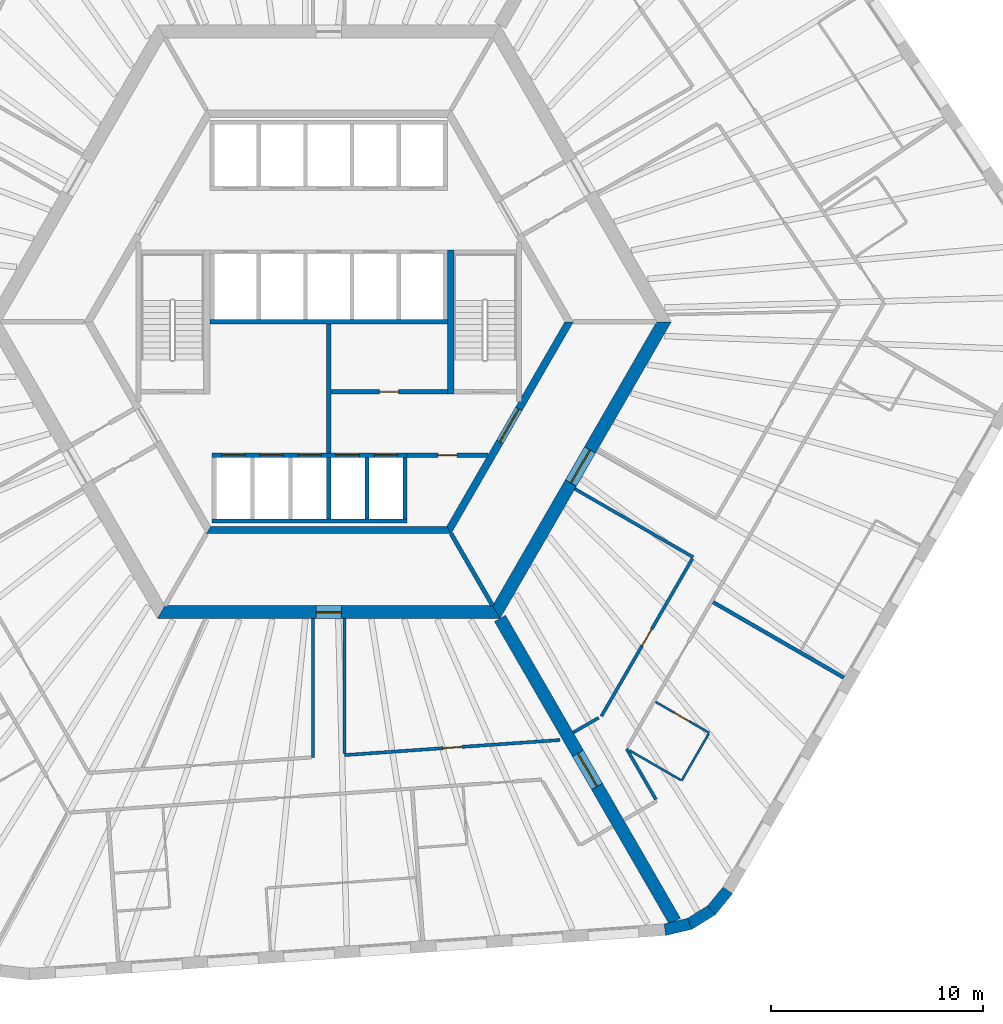
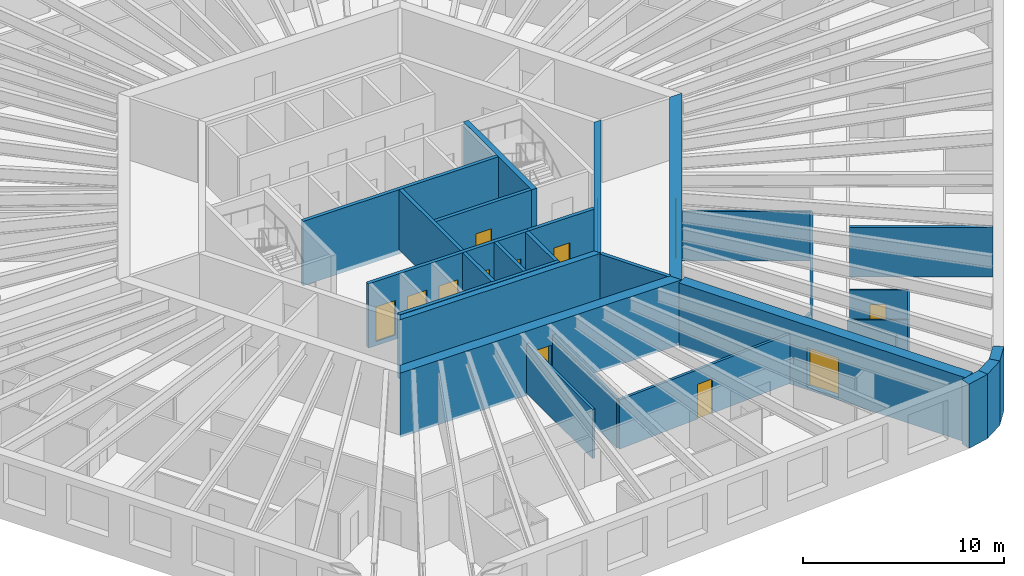
# One storey, part 5 of 12: 30 walls, 14 doors, 14 openings.
"""IFC4 building model written with IfcOpenShell, lengths in metres."""

from ifc_helpers import new_model, si_unit, direction, frame, frame_2d, origin, place, context, subcontext, project, spatial, polyline, rectangle, outline, extrude, material, layer, layer_set, type_object, element, fill, save


model = new_model("IFC4")

# Units and contexts
model_context = context("Model", 3, precision=1e-05, world=origin(), true_north=direction((0.0, 1.0)))
body_context = subcontext(model_context, "Body", "Model", "MODEL_VIEW")
ifc_project = project(units=[si_unit("LENGTHUNIT", "METRE"), si_unit("AREAUNIT", "SQUARE_METRE"), si_unit("VOLUMEUNIT", "CUBIC_METRE"), si_unit("PLANEANGLEUNIT", "RADIAN"), si_unit("MASSUNIT", "GRAM", prefix="KILO")], contexts=[model_context])

# Site, building, storey
site_placement = place(None, origin())
site = spatial("IfcSite", under=ifc_project, at=site_placement, CompositionType="ELEMENT")
building_placement = place(site_placement, origin())
building = spatial("IfcBuilding", under=site, at=building_placement, Name="Tarnside Tower", CompositionType="ELEMENT")
storey_placement = place(building_placement, frame((0.0, 0.0, 96.0)))
storey = spatial("IfcBuildingStorey", under=building, at=storey_placement, Name="L21", CompositionType="ELEMENT", Elevation=96.0)

# Wall, opening, door
ifc_material_1 = material(Name="Gypsum board partition on steel studs", Category="steel")
ifc_layer_1 = layer(ifc_material_1, 0.10009765625)
ifc_layer_set_1 = layer_set([ifc_layer_1], Name="Bathroom wall 100")
wall_type_1 = type_object("IfcWallType", Name="Bathroom wall 100", PredefinedType="PARTITIONING", material=ifc_layer_set_1)
wall_1_placement = place(storey_placement, frame((15.42333984375, -17.935791015625, 0.0), z_axis=(0.0, 0.0, 1.0), x_axis=(0.86601045545, -0.500025890382, 0.0)))
wall_1 = element("IfcWall", 1, at=wall_1_placement, inside=storey, type_object=wall_type_1, Name="Bathroom wall 06138", PredefinedType="PARTITIONING", context=body_context, shape_type="SweptSolid", body=[
    extrude(rectangle(XDim=2.925048828125, YDim=0.10009765625, at=frame_2d((1.46240234375, 0.0))), origin(), (0.0, 0.0, 1.0), 2.98779296875),
])
opening_1_placement = place(wall_1_placement, frame((1.02490234375, 0.0, 0.0)))
opening_1 = element("IfcOpeningElement", 2, at=opening_1_placement, cuts=wall_1, Name="Opening D-B1", PredefinedType="OPENING", context=body_context, shape_type="SweptSolid", body=[
    extrude(rectangle(XDim=0.800048828125, YDim=2.10009765625, at=frame_2d((0.39990234375, 1.050048828125))), frame((0.0, 0.06005859375, 0.0), z_axis=(0.0, -1.0, 0.0), x_axis=(1.0, 0.0, 0.0)), (0.0, 0.0, 1.0), 0.1201171875),
])
ifc_material_2 = material(Name="Timber door leaf", Category="wood")
door_type_1 = type_object("IfcDoorType", Name="Bathroom door 800", OperationType="NOTDEFINED", PredefinedType="DOOR", material=ifc_material_2)
door_1_placement = place(opening_1_placement, origin())
door_1 = element("IfcDoor", 3, at=door_1_placement, inside=storey, type_object=door_type_1, Name="Bathroom door 06031", OperationType="SINGLE_SWING_RIGHT", OverallHeight=2.10009765625, OverallWidth=0.800048828125, PredefinedType="DOOR", context=body_context, shape_type="SweptSolid", body=[
    extrude(rectangle(XDim=0.800048828125, YDim=2.10009765625, at=frame_2d((0.39990234375, 1.050048828125))), frame((0.0, 0.02490234375, 0.0), z_axis=(0.0, -1.0, 0.0), x_axis=(1.0, 0.0, 0.0)), (0.0, 0.0, 1.0), 0.050048828125),
])
fill(opening_1, door_1)

# Walls
wall_2_placement = place(storey_placement, frame((17.931640625, -19.441650390625, 0.0), z_axis=(0.0, 0.0, 1.0), x_axis=(-0.500062241894, -0.865989465428, 0.0)))
element("IfcWall", 4, at=wall_2_placement, inside=storey, type_object=wall_type_1, Name="Bathroom wall 06139", PredefinedType="PARTITIONING", context=body_context, shape_type="SweptSolid", body=[
    extrude(rectangle(XDim=2.550048828125, YDim=0.10009765625, at=frame_2d((1.27490234375, 0.0))), origin(), (0.0, 0.0, 1.0), 2.98779296875),
])
wall_3_placement = place(storey_placement, frame((16.61328125, -21.625, 0.0), z_axis=(0.0, 0.0, 1.0), x_axis=(-0.866034573852, 0.49998411664, 0.0)))
element("IfcWall", 5, at=wall_3_placement, inside=storey, type_object=wall_type_1, Name="Bathroom wall 06140", PredefinedType="PARTITIONING", context=body_context, shape_type="SweptSolid", body=[
    extrude(rectangle(XDim=2.7998046875, YDim=0.10009765625, at=frame_2d((1.39990234375, 0.0))), origin(), (0.0, 0.0, 1.0), 2.98779296875),
])
ifc_material_3 = material(Name="Concrete C50/60", Category="concrete")
ifc_layer_2 = layer(ifc_material_3, 0.35009765625)
ifc_layer_set_2 = layer_set([ifc_layer_2], Name="Core block wall 350 C50/60")
wall_type_2 = type_object("IfcWallType", Name="Core block wall 350 C50/60", PredefinedType="SHEAR", material=ifc_layer_set_2)
wall_4_placement = place(storey_placement, frame((-5.672607421875, -9.824951171875, -0.14990234375), z_axis=(0.0, 0.0, 1.0), x_axis=(1.0, 0.0, 0.0)))
element("IfcWall", 6, at=wall_4_placement, inside=storey, type_object=wall_type_2, Name="L21 core block wall face 4", PredefinedType="SHEAR", context=body_context, shape_type="SweptSolid", body=[
    extrude(outline(polyline([(-0.10107421875, -0.175048828125), (11.4462890625, -0.175048828125), (11.244140625, 0.175048828125), (0.10107421875, 0.175048828125), (-0.10107421875, -0.175048828125)])), origin(), (0.0, 0.0, 1.0), 3.89990234375),
])

# Wall, opening, door
wall_5_placement = place(storey_placement, frame((5.672607421875, -9.824951171875, -0.14990234375), z_axis=(0.0, 0.0, 1.0), x_axis=(0.499995046907, 0.866028263435, 0.0)))
wall_5 = element("IfcWall", 7, at=wall_5_placement, inside=storey, type_object=wall_type_2, Name="L21 core block wall face 5", PredefinedType="SHEAR", context=body_context, shape_type="SweptSolid", body=[
    extrude(outline(polyline([(-0.10107421875, -0.175048828125), (11.44580078125, -0.175048828125), (11.24365234375, 0.175048828125), (0.10107421875, 0.175048828125), (-0.10107421875, -0.175048828125)])), origin(), (0.0, 0.0, 1.0), 3.89990234375),
])
opening_2_placement = place(wall_5_placement, frame((4.80126953125, 0.0, 0.14990234375)))
opening_2 = element("IfcOpeningElement", 8, at=opening_2_placement, cuts=wall_5, Name="Opening CD-FFL", PredefinedType="OPENING", context=body_context, shape_type="SweptSolid", body=[
    extrude(rectangle(XDim=1.800048828125, YDim=2.39990234375, at=frame_2d((0.89990234375, 1.199951171875))), frame((0.0, 0.18505859375, 0.0), z_axis=(0.0, -1.0, 0.0), x_axis=(1.0, 0.0, 0.0)), (0.0, 0.0, 1.0), 0.3701171875),
])
ifc_material_4 = material(Name="Steel fire door", Category="steel")
door_type_2 = type_object("IfcDoorType", Name="Firefighting lobby double door FD60S 1800x2400", OperationType="NOTDEFINED", PredefinedType="DOOR", material=ifc_material_4)
door_2_placement = place(opening_2_placement, origin())
door_2 = element("IfcDoor", 9, at=door_2_placement, inside=storey, type_object=door_type_2, Name="L21 lobby block door P4", OperationType="DOUBLE_DOOR_SINGLE_SWING", OverallHeight=2.39990234375, OverallWidth=1.800048828125, PredefinedType="DOOR", context=body_context, shape_type="SweptSolid", body=[
    extrude(rectangle(XDim=1.800048828125, YDim=2.39990234375, at=frame_2d((0.89990234375, 1.199951171875))), frame((0.0, 0.02490234375, 0.0), z_axis=(0.0, -1.0, 0.0), x_axis=(1.0, 0.0, 0.0)), (0.0, 0.0, 1.0), 0.050048828125),
])
fill(opening_2, door_2)

ifc_material_5 = material(Name="Concrete C40/50", Category="concrete")
ifc_layer_3 = layer(ifc_material_5, 0.199951171875)
ifc_layer_set_3 = layer_set([ifc_layer_3], Name="Core room partition 200 C40/50")
wall_type_3 = type_object("IfcWallType", Name="Core room partition 200 C40/50", PredefinedType="PARTITIONING", material=ifc_layer_set_3)
wall_6_placement = place(storey_placement, frame((0.10009765625, -3.300048828125, 0.0), z_axis=(0.0, 0.0, 1.0), x_axis=(1.0, 0.0, 0.0)))
wall_6 = element("IfcWall", 10, at=wall_6_placement, inside=storey, type_object=wall_type_3, Name="L21 core partition R3S1", PredefinedType="PARTITIONING", context=body_context, shape_type="SweptSolid", body=[
    extrude(rectangle(XDim=5.5, YDim=0.199951171875, at=frame_2d((2.75, 0.0))), origin(), (0.0, 0.0, 1.0), 3.64990234375),
])
opening_3_placement = place(wall_6_placement, frame((2.300048828125, 0.0, 0.0)))
opening_3 = element("IfcOpeningElement", 11, at=opening_3_placement, cuts=wall_6, Name="Opening CD-room", PredefinedType="OPENING", context=body_context, shape_type="SweptSolid", body=[
    extrude(rectangle(XDim=0.89990234375, YDim=2.10009765625, at=frame_2d((0.449951171875, 1.050048828125))), frame((0.0, 0.10986328125, 0.0), z_axis=(0.0, -1.0, 0.0), x_axis=(1.0, 0.0, 0.0)), (0.0, 0.0, 1.0), 0.219970703125),
])
door_type_3 = type_object("IfcDoorType", Name="Room door FD60 900x2100", OperationType="NOTDEFINED", PredefinedType="DOOR", material=ifc_material_4)
door_3_placement = place(opening_3_placement, origin())
door_3 = element("IfcDoor", 12, at=door_3_placement, inside=storey, type_object=door_type_3, Name="L21 core room door SR1", OperationType="SINGLE_SWING_LEFT", OverallHeight=2.10009765625, OverallWidth=0.89990234375, PredefinedType="DOOR", context=body_context, shape_type="SweptSolid", body=[
    extrude(rectangle(XDim=0.89990234375, YDim=2.10009765625, at=frame_2d((0.449951171875, 1.050048828125))), frame((0.0, 0.02490234375, 0.0), z_axis=(0.0, -1.0, 0.0), x_axis=(1.0, 0.0, 0.0)), (0.0, 0.0, 1.0), 0.050048828125),
])
fill(opening_3, door_3)

# Wall
wall_7_placement = place(storey_placement, frame((0.0, -6.199951171875, 0.0), z_axis=(0.0, 0.0, 1.0), x_axis=(0.0, 1.0, 0.0)))
element("IfcWall", 13, at=wall_7_placement, inside=storey, type_object=wall_type_3, Name="L21 core partition X0", PredefinedType="PARTITIONING", context=body_context, shape_type="SweptSolid", body=[
    extrude(rectangle(XDim=6.099853515625, YDim=0.199951171875, at=frame_2d((3.0498046875, 0.0))), origin(), (0.0, 0.0, 1.0), 3.64990234375),
])

# Wall, opening, door
wall_8_placement = place(storey_placement, frame((3.699951171875, -6.300048828125, 0.0), z_axis=(0.0, 0.0, 1.0), x_axis=(1.0, 0.0, 0.0)))
wall_8 = element("IfcWall", 14, at=wall_8_placement, inside=storey, type_object=wall_type_3, Name="L21 core partition R4X", PredefinedType="PARTITIONING", context=body_context, shape_type="SweptSolid", body=[
    extrude(rectangle(XDim=3.8056640625, YDim=0.199951171875, at=frame_2d((1.90283203125, 0.0))), origin(), (0.0, 0.0, 1.0), 3.64990234375),
])
opening_4_placement = place(wall_8_placement, frame((1.452880859375, 0.0, 0.0)))
opening_4 = element("IfcOpeningElement", 15, at=opening_4_placement, cuts=wall_8, Name="Opening CD-room", PredefinedType="OPENING", context=body_context, shape_type="SweptSolid", body=[
    extrude(rectangle(XDim=0.89990234375, YDim=2.10009765625, at=frame_2d((0.449951171875, 1.050048828125))), frame((0.0, 0.10986328125, 0.0), z_axis=(0.0, -1.0, 0.0), x_axis=(1.0, 0.0, 0.0)), (0.0, 0.0, 1.0), 0.219970703125),
])
door_4_placement = place(opening_4_placement, origin())
door_4 = element("IfcDoor", 16, at=door_4_placement, inside=storey, type_object=door_type_3, Name="L21 core room door RX", OperationType="SINGLE_SWING_LEFT", OverallHeight=2.10009765625, OverallWidth=0.89990234375, PredefinedType="DOOR", context=body_context, shape_type="SweptSolid", body=[
    extrude(rectangle(XDim=0.89990234375, YDim=2.10009765625, at=frame_2d((0.449951171875, 1.050048828125))), frame((0.0, 0.02490234375, 0.0), z_axis=(0.0, -1.0, 0.0), x_axis=(1.0, 0.0, 0.0)), (0.0, 0.0, 1.0), 0.050048828125),
])
fill(opening_4, door_4)

ifc_material_6 = material(Name="Concrete C80/95", Category="concrete")
ifc_layer_4 = layer(ifc_material_6, 0.60009765625)
ifc_layer_set_4 = layer_set([ifc_layer_4], Name="Core wall Z1 600 C80/95")
wall_type_4 = type_object("IfcWallType", Name="Core wall Z1 600 C80/95", PredefinedType="SHEAR", material=ifc_layer_set_4)
wall_9_placement = place(storey_placement, frame((-7.90966796875, -13.699951171875, -0.14990234375), z_axis=(0.0, 0.0, 1.0), x_axis=(1.0, 0.0, 0.0)))
wall_9 = element("IfcWall", 17, at=wall_9_placement, inside=storey, type_object=wall_type_4, Name="L21 core wall face 4", PredefinedType="SHEAR", context=body_context, shape_type="SweptSolid", body=[
    extrude(outline(polyline([(-0.17333984375, -0.300048828125), (15.99267578125, -0.300048828125), (15.64599609375, 0.300048828125), (0.17333984375, 0.300048828125), (-0.17333984375, -0.300048828125)])), origin(), (0.0, 0.0, 1.0), 3.89990234375),
])
opening_5_placement = place(wall_9_placement, frame((7.309814453125, 0.0, 0.14990234375)))
opening_5 = element("IfcOpeningElement", 18, at=opening_5_placement, cuts=wall_9, Name="Opening CD-RSR", PredefinedType="OPENING", context=body_context, shape_type="SweptSolid", body=[
    extrude(rectangle(XDim=1.199951171875, YDim=2.39990234375, at=frame_2d((0.60009765625, 1.199951171875))), frame((0.0, 0.31005859375, 0.0), z_axis=(0.0, -1.0, 0.0), x_axis=(1.0, 0.0, 0.0)), (0.0, 0.0, 1.0), 0.6201171875),
])
door_type_4 = type_object("IfcDoorType", Name="Riser door FD60 1200x2400", OperationType="NOTDEFINED", PredefinedType="DOOR", material=ifc_material_4)
door_5_placement = place(opening_5_placement, origin())
door_5 = element("IfcDoor", 19, at=door_5_placement, inside=storey, type_object=door_type_4, Name="L21 core door S6", OperationType="SINGLE_SWING_LEFT", OverallHeight=2.39990234375, OverallWidth=1.199951171875, PredefinedType="DOOR", context=body_context, shape_type="SweptSolid", body=[
    extrude(rectangle(XDim=1.199951171875, YDim=2.39990234375, at=frame_2d((0.60009765625, 1.199951171875))), frame((0.0, 0.02490234375, 0.0), z_axis=(0.0, -1.0, 0.0), x_axis=(1.0, 0.0, 0.0)), (0.0, 0.0, 1.0), 0.050048828125),
])
fill(opening_5, door_5)

wall_10_placement = place(storey_placement, frame((7.90966796875, -13.699951171875, -0.14990234375), z_axis=(0.0, 0.0, 1.0), x_axis=(0.499999880136, 0.866025472988, 0.0)))
wall_10 = element("IfcWall", 20, at=wall_10_placement, inside=storey, type_object=wall_type_4, Name="L21 core wall face 5", PredefinedType="SHEAR", context=body_context, shape_type="SweptSolid", body=[
    extrude(outline(polyline([(-0.17333984375, -0.300048828125), (15.99267578125, -0.300048828125), (15.64599609375, 0.300048828125), (0.17333984375, 0.300048828125), (-0.17333984375, -0.300048828125)])), origin(), (0.0, 0.0, 1.0), 3.89990234375),
])
opening_6_placement = place(wall_10_placement, frame((7.03857421875, 0.0, 0.14990234375)))
opening_6 = element("IfcOpeningElement", 21, at=opening_6_placement, cuts=wall_10, Name="Opening CD-FFL", PredefinedType="OPENING", context=body_context, shape_type="SweptSolid", body=[
    extrude(rectangle(XDim=1.800048828125, YDim=2.39990234375, at=frame_2d((0.89990234375, 1.199951171875))), frame((0.0, 0.31005859375, 0.0), z_axis=(0.0, -1.0, 0.0), x_axis=(1.0, 0.0, 0.0)), (0.0, 0.0, 1.0), 0.6201171875),
])
door_6_placement = place(opening_6_placement, origin())
door_6 = element("IfcDoor", 22, at=door_6_placement, inside=storey, type_object=door_type_2, Name="L21 core door P4", OperationType="DOUBLE_DOOR_SINGLE_SWING", OverallHeight=2.39990234375, OverallWidth=1.800048828125, PredefinedType="DOOR", context=body_context, shape_type="SweptSolid", body=[
    extrude(rectangle(XDim=1.800048828125, YDim=2.39990234375, at=frame_2d((0.89990234375, 1.199951171875))), frame((0.0, 0.02490234375, 0.0), z_axis=(0.0, -1.0, 0.0), x_axis=(1.0, 0.0, 0.0)), (0.0, 0.0, 1.0), 0.050048828125),
])
fill(opening_6, door_6)

wall_11_placement = place(storey_placement, frame((8.0830078125, -14.0, -0.14990234375), z_axis=(0.0, 0.0, 1.0), x_axis=(0.499997680643, -0.866026742862, 0.0)))
wall_11 = element("IfcWall", 23, at=wall_11_placement, inside=storey, type_object=wall_type_4, Name="L21 spine wall 3", PredefinedType="SHEAR", context=body_context, shape_type="SweptSolid", body=[
    extrude(rectangle(XDim=16.5087890625, YDim=0.60009765625, at=frame_2d((8.25439453125, 0.0))), origin(), (0.0, 0.0, 1.0), 3.89990234375),
])
opening_7_placement = place(wall_11_placement, frame((7.3544921875, 0.0, 0.14990234375)))
opening_7 = element("IfcOpeningElement", 24, at=opening_7_placement, cuts=wall_11, Name="Opening CD-SPN", PredefinedType="OPENING", context=body_context, shape_type="SweptSolid", body=[
    extrude(rectangle(XDim=1.800048828125, YDim=2.39990234375, at=frame_2d((0.89990234375, 1.199951171875))), frame((0.0, 0.31005859375, 0.0), z_axis=(0.0, -1.0, 0.0), x_axis=(1.0, 0.0, 0.0)), (0.0, 0.0, 1.0), 0.6201171875),
])
door_type_5 = type_object("IfcDoorType", Name="Spine passage double door FD60 1800x2400", OperationType="NOTDEFINED", PredefinedType="DOOR", material=ifc_material_4)
door_7_placement = place(opening_7_placement, origin())
door_7 = element("IfcDoor", 25, at=door_7_placement, inside=storey, type_object=door_type_5, Name="L21 spine passage door 3", OperationType="DOUBLE_DOOR_SINGLE_SWING", OverallHeight=2.39990234375, OverallWidth=1.800048828125, PredefinedType="DOOR", context=body_context, shape_type="SweptSolid", body=[
    extrude(rectangle(XDim=1.800048828125, YDim=2.39990234375, at=frame_2d((0.89990234375, 1.199951171875))), frame((0.0, 0.02490234375, 0.0), z_axis=(0.0, -1.0, 0.0), x_axis=(1.0, 0.0, 0.0)), (0.0, 0.0, 1.0), 0.050048828125),
])
fill(opening_7, door_7)

# Wall
ifc_layer_5 = layer(ifc_material_1, 0.14990234375)
ifc_layer_set_5 = layer_set([ifc_layer_5], Name="Corridor wall 150 EI 60")
wall_type_5 = type_object("IfcWallType", Name="Corridor wall 150 EI 60", PredefinedType="PARTITIONING", material=ifc_layer_set_5)
wall_12_placement = place(storey_placement, frame((-0.75, -14.0, 0.0), z_axis=(0.0, 0.0, 1.0), x_axis=(0.0, -1.0, 0.0)))
element("IfcWall", 26, at=wall_12_placement, inside=storey, type_object=wall_type_5, Name="Corridor wall 06043", PredefinedType="PARTITIONING", context=body_context, shape_type="SweptSolid", body=[
    extrude(rectangle(XDim=6.552490234375, YDim=0.14990234375, at=frame_2d((3.2763671875, 0.0))), origin(), (0.0, 0.0, 1.0), 2.98779296875),
])

# Wall, opening, door
wall_13_placement = place(storey_placement, frame((10.921142578125, -19.736328125, 0.0), z_axis=(0.0, 0.0, 1.0), x_axis=(-0.997564418338, -0.069751209779, 0.0)))
wall_13 = element("IfcWall", 27, at=wall_13_placement, inside=storey, type_object=wall_type_5, Name="Corridor wall 06048", PredefinedType="PARTITIONING", context=body_context, shape_type="SweptSolid", body=[
    extrude(rectangle(XDim=10.196044921875, YDim=0.14990234375, at=frame_2d((5.09814453125, 0.0))), origin(), (0.0, 0.0, 1.0), 2.98779296875),
])
opening_8_placement = place(wall_13_placement, frame((4.64794921875, 0.0, 0.0)))
opening_8 = element("IfcOpeningElement", 28, at=opening_8_placement, cuts=wall_13, Name="Opening D-S1", PredefinedType="OPENING", context=body_context, shape_type="SweptSolid", body=[
    extrude(rectangle(XDim=0.89990234375, YDim=2.10009765625, at=frame_2d((0.449951171875, 1.050048828125))), frame((0.0, 0.0849609375, 0.0), z_axis=(0.0, -1.0, 0.0), x_axis=(1.0, 0.0, 0.0)), (0.0, 0.0, 1.0), 0.169921875),
])
door_type_6 = type_object("IfcDoorType", Name="Service room door 900 FD30S", OperationType="NOTDEFINED", PredefinedType="DOOR", material=ifc_material_2)
door_8_placement = place(opening_8_placement, origin())
door_8 = element("IfcDoor", 29, at=door_8_placement, inside=storey, type_object=door_type_6, Name="Service door 06049", OperationType="SINGLE_SWING_LEFT", OverallHeight=2.10009765625, OverallWidth=0.89990234375, PredefinedType="DOOR", context=body_context, shape_type="SweptSolid", body=[
    extrude(rectangle(XDim=0.89990234375, YDim=2.10009765625, at=frame_2d((0.449951171875, 1.050048828125))), frame((0.0, 0.02490234375, 0.0), z_axis=(0.0, -1.0, 0.0), x_axis=(1.0, 0.0, 0.0)), (0.0, 0.0, 1.0), 0.050048828125),
])
fill(opening_8, door_8)

# Walls
wall_14_placement = place(storey_placement, frame((0.75, -20.372314453125, 0.0), z_axis=(0.0, 0.0, 1.0), x_axis=(0.0, 1.0, 0.0)))
element("IfcWall", 30, at=wall_14_placement, inside=storey, type_object=wall_type_5, Name="Corridor wall 06049", PredefinedType="PARTITIONING", context=body_context, shape_type="SweptSolid", body=[
    extrude(rectangle(XDim=6.372314453125, YDim=0.14990234375, at=frame_2d((3.18603515625, 0.0))), origin(), (0.0, 0.0, 1.0), 2.98779296875),
])
wall_15_placement = place(storey_placement, frame((15.44140625, -22.545166015625, 0.0), z_axis=(0.0, 0.0, 1.0), x_axis=(-0.499974611044, 0.866040061609, 0.0)))
element("IfcWall", 31, at=wall_15_placement, inside=storey, type_object=wall_type_5, Name="Corridor wall 06051", PredefinedType="PARTITIONING", context=body_context, shape_type="SweptSolid", body=[
    extrude(rectangle(XDim=2.765869140625, YDim=0.14990234375, at=frame_2d((1.3828125, 0.0))), origin(), (0.0, 0.0, 1.0), 2.98779296875),
])
wall_16_placement = place(storey_placement, frame((11.61376953125, -7.88427734375, 0.0), z_axis=(0.0, 0.0, 1.0), x_axis=(0.866021702275, -0.500006411147, 0.0)))
element("IfcWall", 32, at=wall_16_placement, inside=storey, type_object=wall_type_5, Name="Corridor wall 06071", PredefinedType="PARTITIONING", context=body_context, shape_type="SweptSolid", body=[
    extrude(rectangle(XDim=6.4501953125, YDim=0.14990234375, at=frame_2d((3.22509765625, 0.0))), origin(), (0.0, 0.0, 1.0), 2.98779296875),
])

# Wall, opening, door
wall_17_placement = place(storey_placement, frame((17.162109375, -11.17431640625, 0.0), z_axis=(0.0, 0.0, 1.0), x_axis=(-0.499997214665, -0.866027011893, 0.0)))
wall_17 = element("IfcWall", 33, at=wall_17_placement, inside=storey, type_object=wall_type_5, Name="Corridor wall 06072", PredefinedType="PARTITIONING", context=body_context, shape_type="SweptSolid", body=[
    extrude(rectangle(XDim=8.5888671875, YDim=0.14990234375, at=frame_2d((4.29443359375, 0.0))), origin(), (0.0, 0.0, 1.0), 2.98779296875),
])
opening_9_placement = place(wall_17_placement, frame((3.844482421875, 0.0, 0.0)))
opening_9 = element("IfcOpeningElement", 34, at=opening_9_placement, cuts=wall_17, Name="Opening D-S1", PredefinedType="OPENING", context=body_context, shape_type="SweptSolid", body=[
    extrude(rectangle(XDim=0.89990234375, YDim=2.10009765625, at=frame_2d((0.449951171875, 1.050048828125))), frame((0.0, 0.0849609375, 0.0), z_axis=(0.0, -1.0, 0.0), x_axis=(1.0, 0.0, 0.0)), (0.0, 0.0, 1.0), 0.169921875),
])
door_9_placement = place(opening_9_placement, origin())
door_9 = element("IfcDoor", 35, at=door_9_placement, inside=storey, type_object=door_type_6, Name="Service door 06052", OperationType="SINGLE_SWING_LEFT", OverallHeight=2.10009765625, OverallWidth=0.89990234375, PredefinedType="DOOR", context=body_context, shape_type="SweptSolid", body=[
    extrude(rectangle(XDim=0.89990234375, YDim=2.10009765625, at=frame_2d((0.449951171875, 1.050048828125))), frame((0.0, 0.02490234375, 0.0), z_axis=(0.0, -1.0, 0.0), x_axis=(1.0, 0.0, 0.0)), (0.0, 0.0, 1.0), 0.050048828125),
])
fill(opening_9, door_9)

# Walls
wall_18_placement = place(storey_placement, frame((12.73779296875, -18.6875, 0.0), z_axis=(0.0, 0.0, 1.0), x_axis=(-0.866080107329, -0.499905238708, 0.0)))
element("IfcWall", 36, at=wall_18_placement, inside=storey, type_object=wall_type_5, Name="Corridor wall 06073", PredefinedType="PARTITIONING", context=body_context, shape_type="SweptSolid", body=[
    extrude(rectangle(XDim=1.387451171875, YDim=0.14990234375, at=frame_2d((0.69384765625, 0.0))), origin(), (0.0, 0.0, 1.0), 2.98779296875),
])
ifc_layer_6 = layer(ifc_material_1, 0.179931640625)
ifc_layer_set_6 = layer_set([ifc_layer_6], Name="Demising wall 180 EI 60")
wall_type_6 = type_object("IfcWallType", Name="Demising wall 180 EI 60", PredefinedType="PARTITIONING", material=ifc_layer_set_6)
wall_19_placement = place(storey_placement, frame((24.31005859375, -16.7939453125, 0.0), z_axis=(0.0, 0.0, 1.0), x_axis=(-0.866024672353, 0.500001266874, 0.0)))
element("IfcWall", 37, at=wall_19_placement, inside=storey, type_object=wall_type_6, Name="Demising wall 06141", PredefinedType="PARTITIONING", context=body_context, shape_type="SweptSolid", body=[
    extrude(rectangle(XDim=7.125, YDim=0.179931640625, at=frame_2d((3.5625, 0.0))), origin(), (0.0, 0.0, 1.0), 2.98779296875),
])
ifc_layer_7 = layer(ifc_material_5, 0.199951171875)
ifc_layer_set_7 = layer_set([ifc_layer_7], Name="Lift shaft wall 200 C40/50")
wall_type_7 = type_object("IfcWallType", Name="Lift shaft wall 200 C40/50", PredefinedType="SHEAR", material=ifc_layer_set_7)
wall_20_placement = place(storey_placement, frame((-5.60009765625, 0.0, -0.25), z_axis=(0.0, 0.0, 1.0), x_axis=(1.0, 0.0, 0.0)))
element("IfcWall", 38, at=wall_20_placement, inside=storey, type_object=wall_type_7, Name="L21 lift shaft back wall R2", PredefinedType="SHEAR", context=body_context, shape_type="SweptSolid", body=[
    extrude(rectangle(XDim=11.2001953125, YDim=0.199951171875, at=frame_2d((5.60009765625, 0.0))), origin(), (0.0, 0.0, 1.0), 3.89990234375),
])

# Wall, openings, doors
wall_21_placement = place(storey_placement, frame((-5.5, -6.300048828125, -0.25), z_axis=(0.0, 0.0, 1.0), x_axis=(1.0, 0.0, 0.0)))
wall_21 = element("IfcWall", 39, at=wall_21_placement, inside=storey, type_object=wall_type_7, Name="L21 lift shaft front wall R4", PredefinedType="SHEAR", context=body_context, shape_type="SweptSolid", body=[
    extrude(rectangle(XDim=9.199951171875, YDim=0.199951171875, at=frame_2d((4.60009765625, 0.0))), origin(), (0.0, 0.0, 1.0), 3.89990234375),
])
opening_10_placement = place(wall_21_placement, frame((0.449951171875, 0.0, 0.25)))
opening_10 = element("IfcOpeningElement", 40, at=opening_10_placement, cuts=wall_21, Name="Opening LDF", PredefinedType="OPENING", context=body_context, shape_type="SweptSolid", body=[
    extrude(rectangle(XDim=1.10009765625, YDim=2.10009765625, at=frame_2d((0.550048828125, 1.050048828125))), frame((0.0, 0.10986328125, 0.0), z_axis=(0.0, -1.0, 0.0), x_axis=(1.0, 0.0, 0.0)), (0.0, 0.0, 1.0), 0.219970703125),
])
opening_11_placement = place(wall_21_placement, frame((2.25, 0.0, 0.25)))
opening_11 = element("IfcOpeningElement", 41, at=opening_11_placement, cuts=wall_21, Name="Opening LDF", PredefinedType="OPENING", context=body_context, shape_type="SweptSolid", body=[
    extrude(rectangle(XDim=1.10009765625, YDim=2.10009765625, at=frame_2d((0.550048828125, 1.050048828125))), frame((0.0, 0.10986328125, 0.0), z_axis=(0.0, -1.0, 0.0), x_axis=(1.0, 0.0, 0.0)), (0.0, 0.0, 1.0), 0.219970703125),
])
opening_12_placement = place(wall_21_placement, frame((4.050048828125, 0.0, 0.25)))
opening_12 = element("IfcOpeningElement", 42, at=opening_12_placement, cuts=wall_21, Name="Opening LDF", PredefinedType="OPENING", context=body_context, shape_type="SweptSolid", body=[
    extrude(rectangle(XDim=1.10009765625, YDim=2.10009765625, at=frame_2d((0.550048828125, 1.050048828125))), frame((0.0, 0.10986328125, 0.0), z_axis=(0.0, -1.0, 0.0), x_axis=(1.0, 0.0, 0.0)), (0.0, 0.0, 1.0), 0.219970703125),
])
opening_13_placement = place(wall_21_placement, frame((5.85009765625, 0.0, 0.25)))
opening_13 = element("IfcOpeningElement", 43, at=opening_13_placement, cuts=wall_21, Name="Opening LDF", PredefinedType="OPENING", context=body_context, shape_type="SweptSolid", body=[
    extrude(rectangle(XDim=1.10009765625, YDim=2.10009765625, at=frame_2d((0.550048828125, 1.050048828125))), frame((0.0, 0.10986328125, 0.0), z_axis=(0.0, -1.0, 0.0), x_axis=(1.0, 0.0, 0.0)), (0.0, 0.0, 1.0), 0.219970703125),
])
opening_14_placement = place(wall_21_placement, frame((7.64990234375, 0.0, 0.25)))
opening_14 = element("IfcOpeningElement", 44, at=opening_14_placement, cuts=wall_21, Name="Opening LDF", PredefinedType="OPENING", context=body_context, shape_type="SweptSolid", body=[
    extrude(rectangle(XDim=1.10009765625, YDim=2.10009765625, at=frame_2d((0.550048828125, 1.050048828125))), frame((0.0, 0.10986328125, 0.0), z_axis=(0.0, -1.0, 0.0), x_axis=(1.0, 0.0, 0.0)), (0.0, 0.0, 1.0), 0.219970703125),
])
ifc_material_7 = material(Name="Stainless steel", Category="steel")
door_type_7 = type_object("IfcDoorType", Name="Lift landing door 1100x2100 EI 120", OperationType="NOTDEFINED", PredefinedType="DOOR", material=ifc_material_7)
door_10_placement = place(opening_10_placement, origin())
door_10 = element("IfcDoor", 45, at=door_10_placement, inside=storey, type_object=door_type_7, Name="Firefighting lift 1 landing door L21", OperationType="SLIDING_TO_LEFT", OverallHeight=2.10009765625, OverallWidth=1.10009765625, PredefinedType="DOOR", context=body_context, shape_type="SweptSolid", body=[
    extrude(rectangle(XDim=1.10009765625, YDim=2.10009765625, at=frame_2d((0.550048828125, 1.050048828125))), frame((0.0, 0.02490234375, 0.0), z_axis=(0.0, -1.0, 0.0), x_axis=(1.0, 0.0, 0.0)), (0.0, 0.0, 1.0), 0.050048828125),
])
fill(opening_10, door_10)
door_11_placement = place(opening_11_placement, origin())
door_11 = element("IfcDoor", 46, at=door_11_placement, inside=storey, type_object=door_type_7, Name="Firefighting lift 2 landing door L21", OperationType="SLIDING_TO_LEFT", OverallHeight=2.10009765625, OverallWidth=1.10009765625, PredefinedType="DOOR", context=body_context, shape_type="SweptSolid", body=[
    extrude(rectangle(XDim=1.10009765625, YDim=2.10009765625, at=frame_2d((0.550048828125, 1.050048828125))), frame((0.0, 0.02490234375, 0.0), z_axis=(0.0, -1.0, 0.0), x_axis=(1.0, 0.0, 0.0)), (0.0, 0.0, 1.0), 0.050048828125),
])
fill(opening_11, door_11)
door_12_placement = place(opening_12_placement, origin())
door_12 = element("IfcDoor", 47, at=door_12_placement, inside=storey, type_object=door_type_7, Name="Firefighting lift 3 landing door L21", OperationType="SLIDING_TO_LEFT", OverallHeight=2.10009765625, OverallWidth=1.10009765625, PredefinedType="DOOR", context=body_context, shape_type="SweptSolid", body=[
    extrude(rectangle(XDim=1.10009765625, YDim=2.10009765625, at=frame_2d((0.550048828125, 1.050048828125))), frame((0.0, 0.02490234375, 0.0), z_axis=(0.0, -1.0, 0.0), x_axis=(1.0, 0.0, 0.0)), (0.0, 0.0, 1.0), 0.050048828125),
])
fill(opening_12, door_12)
door_13_placement = place(opening_13_placement, origin())
door_13 = element("IfcDoor", 48, at=door_13_placement, inside=storey, type_object=door_type_7, Name="Firefighting lift 4 landing door L21", OperationType="SLIDING_TO_LEFT", OverallHeight=2.10009765625, OverallWidth=1.10009765625, PredefinedType="DOOR", context=body_context, shape_type="SweptSolid", body=[
    extrude(rectangle(XDim=1.10009765625, YDim=2.10009765625, at=frame_2d((0.550048828125, 1.050048828125))), frame((0.0, 0.02490234375, 0.0), z_axis=(0.0, -1.0, 0.0), x_axis=(1.0, 0.0, 0.0)), (0.0, 0.0, 1.0), 0.050048828125),
])
fill(opening_13, door_13)
door_14_placement = place(opening_14_placement, origin())
door_14 = element("IfcDoor", 49, at=door_14_placement, inside=storey, type_object=door_type_7, Name="Firefighting lift 5 landing door L21", OperationType="SLIDING_TO_LEFT", OverallHeight=2.10009765625, OverallWidth=1.10009765625, PredefinedType="DOOR", context=body_context, shape_type="SweptSolid", body=[
    extrude(rectangle(XDim=1.10009765625, YDim=2.10009765625, at=frame_2d((0.550048828125, 1.050048828125))), frame((0.0, 0.02490234375, 0.0), z_axis=(0.0, -1.0, 0.0), x_axis=(1.0, 0.0, 0.0)), (0.0, 0.0, 1.0), 0.050048828125),
])
fill(opening_14, door_14)

# Walls
wall_22_placement = place(storey_placement, frame((-5.5, -9.39990234375, -0.25), z_axis=(0.0, 0.0, 1.0), x_axis=(1.0, 0.0, 0.0)))
element("IfcWall", 50, at=wall_22_placement, inside=storey, type_object=wall_type_7, Name="L21 lift shaft back wall R4", PredefinedType="SHEAR", context=body_context, shape_type="SweptSolid", body=[
    extrude(rectangle(XDim=9.199951171875, YDim=0.199951171875, at=frame_2d((4.60009765625, 0.0))), origin(), (0.0, 0.0, 1.0), 3.89990234375),
])
for number, where, z_axis, x_axis, name in (
    (51, (0.0, -9.300048828125, -0.25), (0.0, 0.0, 1.0), (0.0, 1.0, 0.0), "L21 lift shaft partition R44"),
    (52, (1.800048828125, -9.300048828125, -0.25), (0.0, 0.0, 1.0), (0.0, 1.0, 0.0), "L21 lift shaft partition R45"),
    (53, (3.60009765625, -9.300048828125, -0.25), (0.0, 0.0, 1.0), (0.0, 1.0, 0.0), "L21 lift shaft partition R46"),
):
    element("IfcWall", number, at=place(storey_placement, frame(where, z_axis=z_axis, x_axis=x_axis)), inside=storey, type_object=wall_type_7, Name=name, PredefinedType="SHEAR", context=body_context, shape_type="SweptSolid", body=[
        extrude(rectangle(XDim=2.900146484375, YDim=0.199951171875, at=frame_2d((1.4501953125, 0.0))), origin(), (0.0, 0.0, 1.0), 3.89990234375),
    ])
wall_23_placement = place(storey_placement, frame((5.7734375, -10.0, -0.14990234375), z_axis=(0.0, 0.0, 1.0), x_axis=(0.500038251005, -0.86600331843, 0.0)))
element("IfcWall", 54, at=wall_23_placement, inside=storey, type_object=wall_type_7, Name="L21 core partition AR300", PredefinedType="SHEAR", context=body_context, shape_type="SweptSolid", body=[
    extrude(rectangle(XDim=3.926025390625, YDim=0.199951171875, at=frame_2d((1.962890625, 0.0))), origin(), (0.0, 0.0, 1.0), 3.89990234375),
])
ifc_layer_8 = layer(ifc_material_5, 0.300048828125)
ifc_layer_set_8 = layer_set([ifc_layer_8], Name="Stair enclosure wall 300 C40/50")
wall_type_8 = type_object("IfcWallType", Name="Stair enclosure wall 300 C40/50", PredefinedType="SHEAR", material=ifc_layer_set_8)
wall_24_placement = place(storey_placement, frame((5.75, -3.39990234375, -0.25), z_axis=(0.0, 0.0, 1.0), x_axis=(0.0, 1.0, 0.0)))
element("IfcWall", 55, at=wall_24_placement, inside=storey, type_object=wall_type_8, Name="L21 stair 1 enclosure wall inner", PredefinedType="SHEAR", context=body_context, shape_type="SweptSolid", body=[
    extrude(rectangle(XDim=6.7998046875, YDim=0.300048828125, at=frame_2d((3.39990234375, 0.0))), origin(), (0.0, 0.0, 1.0), 3.89990234375),
])
ifc_material_8 = material(Name="Facing brick", Category="masonry")
ifc_layer_9 = layer(ifc_material_8, 0.10205078125)
ifc_material_9 = material(Name="Concrete C60/75 precast", Category="concrete")
ifc_layer_10 = layer(ifc_material_9, 0.347900390625)
ifc_material_10 = material(Name="Mineral wool insulation")
ifc_layer_11 = layer(ifc_material_10, 0.10009765625)
ifc_layer_set_9 = layer_set([ifc_layer_9, ifc_layer_10, ifc_layer_11], Name="Tube wall 550 brick faced")
wall_type_9 = type_object("IfcWallType", Name="Tube wall 550 brick faced", PredefinedType="SOLIDWALL", material=ifc_layer_set_9)
wall_25_placement = place(storey_placement, frame((15.8642578125, -28.688232421875, -0.14990234375), z_axis=(0.0, 0.0, 1.0), x_axis=(0.973063591128, 0.230536868247, 0.0)))
element("IfcWall", 56, at=wall_25_placement, inside=storey, type_object=wall_type_9, Name="Tube wall L21 F4 chord 13", PredefinedType="SOLIDWALL", context=body_context, shape_type="SweptSolid", body=[
    extrude(outline(polyline([(-0.0224609375, -0.27490234375), (1.25341796875, -0.27490234375), (1.1630859375, 0.27490234375), (0.0224609375, 0.27490234375), (-0.0224609375, -0.27490234375)])), origin(), (0.0, 0.0, 1.0), 3.89990234375),
])
wall_26_placement = place(storey_placement, frame((17.0400390625, -28.40966796875, -0.14990234375), z_axis=(0.0, 0.0, 1.0), x_axis=(0.847952888306, 0.530071598195, 0.0)))
element("IfcWall", 57, at=wall_26_placement, inside=storey, type_object=wall_type_9, Name="Tube wall L21 F4 chord 14", PredefinedType="SOLIDWALL", context=body_context, shape_type="SweptSolid", body=[
    extrude(outline(polyline([(-0.045166015625, -0.27490234375), (1.253173828125, -0.27490234375), (1.162841796875, 0.27490234375), (0.045166015625, 0.27490234375), (-0.045166015625, -0.27490234375)])), origin(), (0.0, 0.0, 1.0), 3.89990234375),
])
wall_27_placement = place(storey_placement, frame((18.064453125, -27.769287109375, -0.14990234375), z_axis=(0.0, 0.0, 1.0), x_axis=(0.633842757806, 0.773461930787, 0.0)))
element("IfcWall", 58, at=wall_27_placement, inside=storey, type_object=wall_type_9, Name="Tube wall L21 F4 chord 15", PredefinedType="SOLIDWALL", context=body_context, shape_type="SweptSolid", body=[
    extrude(outline(polyline([(-0.045166015625, -0.27490234375), (1.230712890625, -0.27490234375), (1.185791015625, 0.27490234375), (0.045166015625, 0.27490234375), (-0.045166015625, -0.27490234375)])), origin(), (0.0, 0.0, 1.0), 3.89990234375),
])

save(model, "model.ifc")
